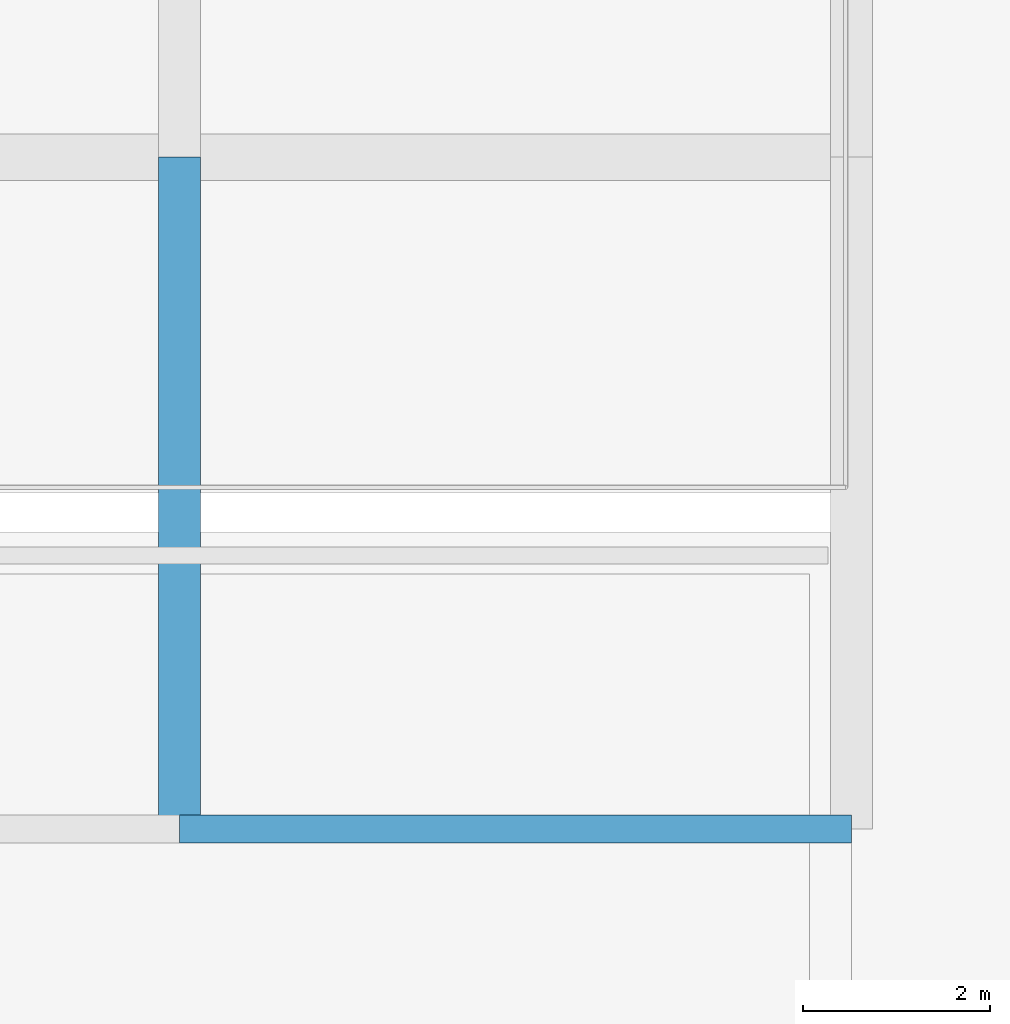
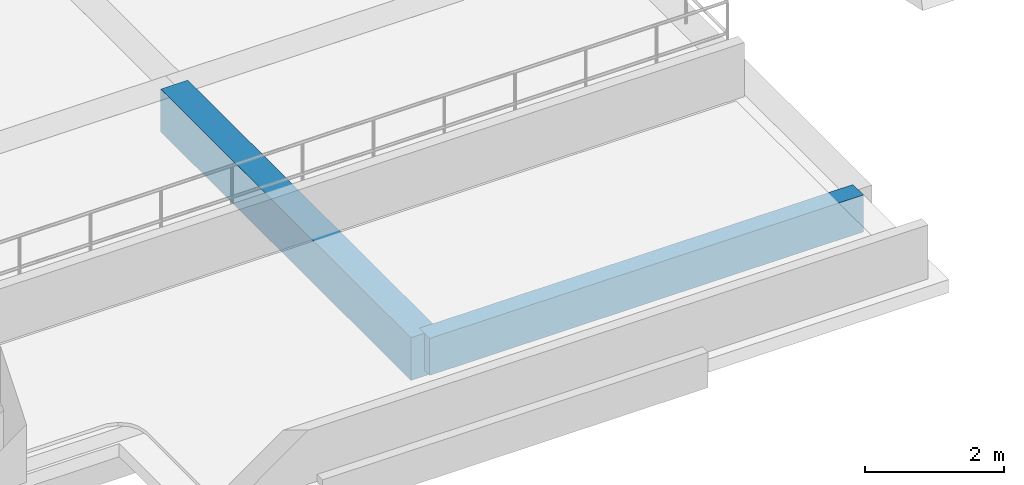
# One storey, part 38 of 141: 2 beams.
"""IFC4 building model written with IfcOpenShell, lengths in metres."""

from ifc_helpers import new_model, si_unit, direction, frame, origin, origin_2d, place, context, subcontext, project, spatial, rectangle, extrude, material, material_profile, profile_set, type_object, element, save


model = new_model("IFC4")

# Units and contexts
model_context = context("Model", 3, precision=1e-05, world=origin(), true_north=direction((0.0, 1.0)))
body_context = subcontext(model_context, "Body", "Model", "MODEL_VIEW")
ifc_project = project(units=[si_unit("LENGTHUNIT", "METRE"), si_unit("AREAUNIT", "SQUARE_METRE"), si_unit("VOLUMEUNIT", "CUBIC_METRE"), si_unit("PLANEANGLEUNIT", "RADIAN"), si_unit("MASSUNIT", "GRAM", prefix="KILO")], contexts=[model_context])

# Site, building, storey
site_placement = place(None, origin())
site = spatial("IfcSite", under=ifc_project, at=site_placement, CompositionType="ELEMENT")
building_placement = place(site_placement, origin())
building = spatial("IfcBuilding", under=site, at=building_placement, Name="Seraya Terrace Polytechnic", CompositionType="ELEMENT")
storey_placement = place(building_placement, frame((0.0, 0.0, 14.39990234375)))
storey = spatial("IfcBuildingStorey", under=building, at=storey_placement, Name="L03", CompositionType="ELEMENT", Elevation=14.39990234375)

# Beams
ifc_material = material(Name="Concrete C40/50", Category="concrete")
ifc_material_profile_1 = material_profile(ifc_material, rectangle(XDim=0.449951171875, YDim=0.75, at=origin_2d()), Name="RC 450x750")
ifc_profile_set_1 = profile_set([ifc_material_profile_1], Name="Concrete C40/50")
beam_type_1 = type_object("IfcBeamType", Name="BM-08", PredefinedType="BEAM", material=ifc_profile_set_1)
beam_1_placement = place(storey_placement, frame((122.39990234375, 0.0, -0.375), z_axis=(0.0, 1.0, 0.0), x_axis=(-1.0, 0.0, 0.0)))
element("IfcBeam", 1, at=beam_1_placement, inside=storey, type_object=beam_type_1, Name="Beam BM-08 L03 Y (122.4, 0.0..7.2)", PredefinedType="BEAM", context=body_context, shape_type="SweptSolid", body=[
    extrude(rectangle(XDim=0.449951171875, YDim=0.75, at=origin_2d()), origin(), (0.0, 0.0, 1.0), 7.199951171875),
])
ifc_material_profile_2 = material_profile(ifc_material, rectangle(XDim=0.300048828125, YDim=0.64990234375, at=origin_2d()), Name="RC 300x650")
ifc_profile_set_2 = profile_set([ifc_material_profile_2], Name="Concrete C40/50")
beam_type_2 = type_object("IfcBeamType", Name="SP-01", PredefinedType="SPANDREL", material=ifc_profile_set_2)
beam_2_placement = place(storey_placement, frame((122.39990234375, 0.0, -0.324951171875), z_axis=(1.0, 0.0, 0.0), x_axis=(0.0, 1.0, 0.0)))
element("IfcBeam", 2, at=beam_2_placement, inside=storey, type_object=beam_type_2, Name="Beam SP-01 L03 X (122.4..129.6, 0.0)", PredefinedType="SPANDREL", context=body_context, shape_type="SweptSolid", body=[
    extrude(rectangle(XDim=0.300048828125, YDim=0.64990234375, at=origin_2d()), origin(), (0.0, 0.0, 1.0), 7.2001953125),
])

save(model, "model.ifc")
